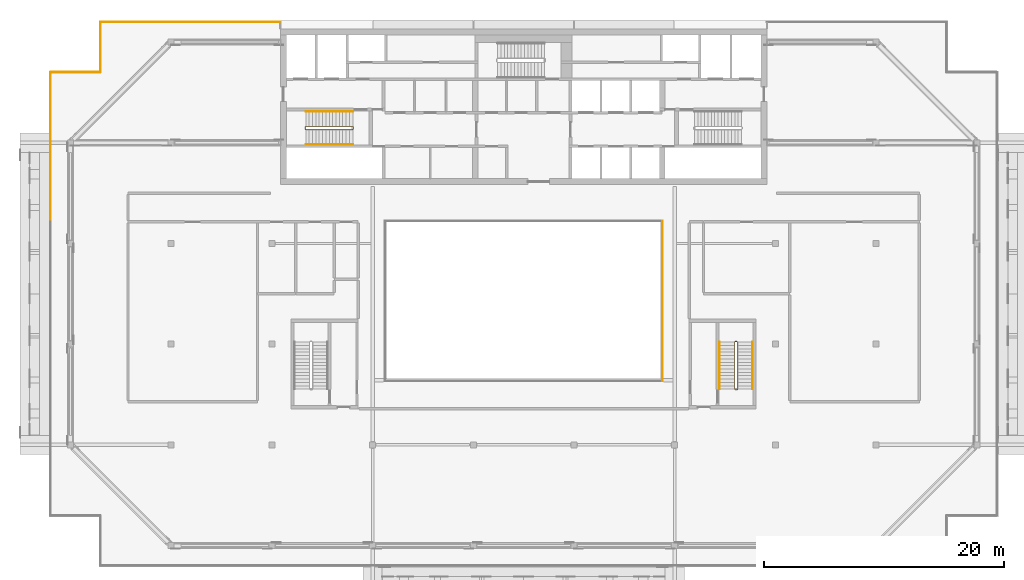
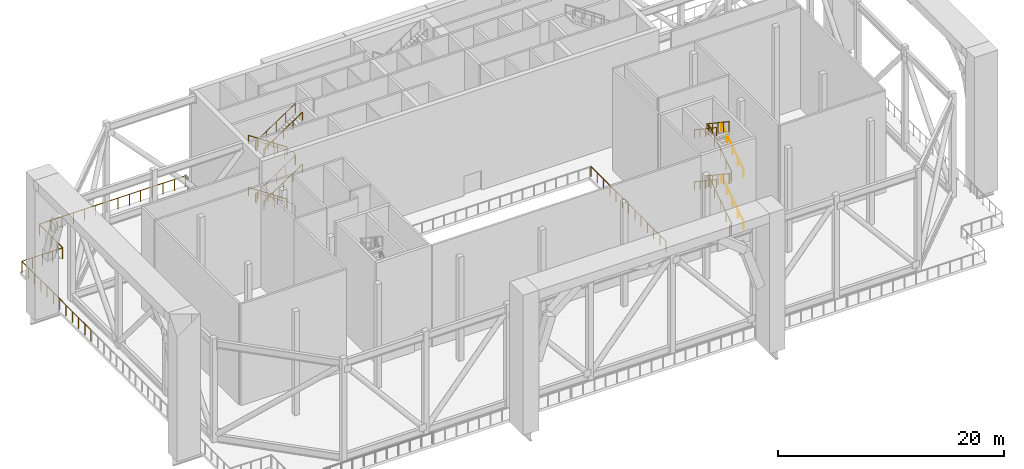
# One storey, part 18 of 20: 15 railings.
"""IFC4 building model written with IfcOpenShell, lengths in metres."""

from ifc_helpers import new_model, si_unit, direction, frame, origin, origin_2d, place, context, subcontext, project, spatial, circle, extrude, material, type_object, element, save


model = new_model("IFC4")

# Units and contexts
model_context = context("Model", 3, precision=1e-05, world=origin(), true_north=direction((0.0, 1.0)))
body_context = subcontext(model_context, "Body", "Model", "MODEL_VIEW")
ifc_project = project(units=[si_unit("LENGTHUNIT", "METRE"), si_unit("AREAUNIT", "SQUARE_METRE"), si_unit("VOLUMEUNIT", "CUBIC_METRE"), si_unit("PLANEANGLEUNIT", "RADIAN"), si_unit("MASSUNIT", "GRAM", prefix="KILO")], contexts=[model_context])

# Site, building, storey
site_placement = place(None, origin())
site = spatial("IfcSite", under=ifc_project, at=site_placement, CompositionType="ELEMENT")
building_placement = place(site_placement, origin())
building = spatial("IfcBuilding", under=site, at=building_placement, Name="Saffron Gate Tower", CompositionType="ELEMENT")
storey_placement = place(building_placement, frame((0.0, 0.0, 252.300048828125)))
storey = spatial("IfcBuildingStorey", under=building, at=storey_placement, Name="L62", CompositionType="ELEMENT", Elevation=252.300048828125)

# Railings
ifc_material_1 = material(Name="Stainless steel and laminated glass", Category="steel")
railing_type_1 = type_object("IfcRailingType", Name="AG1 Atrium edge guard 1100", PredefinedType="GUARDRAIL", material=ifc_material_1)
railing_1_placement = place(storey_placement, frame((99.179931640625, 58.860107421875, 0.0)))
element("IfcRailing", 1, at=railing_1_placement, inside=storey, type_object=railing_type_1, Name="Guard X3-3", PredefinedType="GUARDRAIL", context=body_context, shape_type="SweptSolid", body=[
    extrude(circle(Radius=0.02392578125, at=origin_2d()), frame((0.0, 0.0, 1.076171875), z_axis=(0.0, -1.0, 0.0), x_axis=(1.0, 0.0, 0.0)), (0.0, 0.0, 1.0), 13.320068359375),
    extrude(circle(Radius=0.02099609375, at=origin_2d()), origin(), (0.0, 0.0, 1.0), 1.052001953125),
    extrude(circle(Radius=0.02099609375, at=origin_2d()), frame((0.0, -1.110107421875, 0.0)), (0.0, 0.0, 1.0), 1.052001953125),
    extrude(circle(Radius=0.02099609375, at=origin_2d()), frame((0.0, -2.219970703125, 0.0)), (0.0, 0.0, 1.0), 1.052001953125),
    extrude(circle(Radius=0.02099609375, at=origin_2d()), frame((0.0, -3.330078125, 0.0)), (0.0, 0.0, 1.0), 1.052001953125),
    extrude(circle(Radius=0.02099609375, at=origin_2d()), frame((0.0, -4.43994140625, 0.0)), (0.0, 0.0, 1.0), 1.052001953125),
    extrude(circle(Radius=0.02099609375, at=origin_2d()), frame((0.0, -5.550048828125, 0.0)), (0.0, 0.0, 1.0), 1.052001953125),
    extrude(circle(Radius=0.02099609375, at=origin_2d()), frame((0.0, -6.66015625, 0.0)), (0.0, 0.0, 1.0), 1.052001953125),
    extrude(circle(Radius=0.02099609375, at=origin_2d()), frame((0.0, -7.77001953125, 0.0)), (0.0, 0.0, 1.0), 1.052001953125),
    extrude(circle(Radius=0.02099609375, at=origin_2d()), frame((0.0, -8.880126953125, 0.0)), (0.0, 0.0, 1.0), 1.052001953125),
    extrude(circle(Radius=0.02099609375, at=origin_2d()), frame((0.0, -9.989990234375, 0.0)), (0.0, 0.0, 1.0), 1.052001953125),
    extrude(circle(Radius=0.02099609375, at=origin_2d()), frame((0.0, -11.10009765625, 0.0)), (0.0, 0.0, 1.0), 1.052001953125),
    extrude(circle(Radius=0.02099609375, at=origin_2d()), frame((0.0, -12.2099609375, 0.0)), (0.0, 0.0, 1.0), 1.052001953125),
    extrude(circle(Radius=0.02099609375, at=origin_2d()), frame((0.0, -13.320068359375, 0.0)), (0.0, 0.0, 1.0), 1.052001953125),
])
ifc_material_2 = material(Name="Stainless steel posts and toughened glass infill", Category="steel")
railing_type_2 = type_object("IfcRailingType", Name="BAL1 balustrade 1200", PredefinedType="BALUSTRADE", material=ifc_material_2)
railing_2_placement = place(storey_placement, frame((67.300048828125, 75.47998046875, 0.0)))
element("IfcRailing", 2, at=railing_2_placement, inside=storey, type_object=railing_type_2, Name="GUARD portal deck edge", PredefinedType="BALUSTRADE", context=body_context, shape_type="SweptSolid", body=[
    extrude(circle(Radius=0.02392578125, at=origin_2d()), frame((0.0, 0.0, 1.17578125), z_axis=(-1.0, 0.0, 0.0), x_axis=(0.0, -1.0, 0.0)), (0.0, 0.0, 1.0), 14.93994140625),
    extrude(circle(Radius=0.02099609375, at=origin_2d()), origin(), (0.0, 0.0, 1.0), 1.15185546875),
    extrude(circle(Radius=0.02099609375, at=origin_2d()), frame((-1.149169921875, 0.0, 0.0)), (0.0, 0.0, 1.0), 1.15185546875),
    extrude(circle(Radius=0.02099609375, at=origin_2d()), frame((-2.29833984375, 0.0, 0.0)), (0.0, 0.0, 1.0), 1.15185546875),
    extrude(circle(Radius=0.02099609375, at=origin_2d()), frame((-3.44775390625, 0.0, 0.0)), (0.0, 0.0, 1.0), 1.15185546875),
    extrude(circle(Radius=0.02099609375, at=origin_2d()), frame((-4.596923828125, 0.0, 0.0)), (0.0, 0.0, 1.0), 1.15185546875),
    extrude(circle(Radius=0.02099609375, at=origin_2d()), frame((-5.74609375, 0.0, 0.0)), (0.0, 0.0, 1.0), 1.15185546875),
    extrude(circle(Radius=0.02099609375, at=origin_2d()), frame((-6.895263671875, 0.0, 0.0)), (0.0, 0.0, 1.0), 1.15185546875),
    extrude(circle(Radius=0.02099609375, at=origin_2d()), frame((-8.044677734375, 0.0, 0.0)), (0.0, 0.0, 1.0), 1.15185546875),
    extrude(circle(Radius=0.02099609375, at=origin_2d()), frame((-9.19384765625, 0.0, 0.0)), (0.0, 0.0, 1.0), 1.15185546875),
    extrude(circle(Radius=0.02099609375, at=origin_2d()), frame((-10.343017578125, 0.0, 0.0)), (0.0, 0.0, 1.0), 1.15185546875),
    extrude(circle(Radius=0.02099609375, at=origin_2d()), frame((-11.4921875, 0.0, 0.0)), (0.0, 0.0, 1.0), 1.15185546875),
    extrude(circle(Radius=0.02099609375, at=origin_2d()), frame((-12.6416015625, 0.0, 0.0)), (0.0, 0.0, 1.0), 1.15185546875),
    extrude(circle(Radius=0.02099609375, at=origin_2d()), frame((-13.790771484375, 0.0, 0.0)), (0.0, 0.0, 1.0), 1.15185546875),
    extrude(circle(Radius=0.02099609375, at=origin_2d()), frame((-14.93994140625, 0.0, 0.0)), (0.0, 0.0, 1.0), 1.15185546875),
])
railing_3_placement = place(storey_placement, frame((52.320068359375, 75.43994140625, 0.0)))
element("IfcRailing", 3, at=railing_3_placement, inside=storey, type_object=railing_type_2, Name="GUARD portal deck edge", PredefinedType="BALUSTRADE", context=body_context, shape_type="SweptSolid", body=[
    extrude(circle(Radius=0.02392578125, at=origin_2d()), frame((0.0, 0.0, 1.17578125), z_axis=(0.0, -1.0, 0.0), x_axis=(1.0, 0.0, 0.0)), (0.0, 0.0, 1.0), 4.119873046875),
    extrude(circle(Radius=0.02099609375, at=origin_2d()), origin(), (0.0, 0.0, 1.0), 1.15185546875),
    extrude(circle(Radius=0.02099609375, at=origin_2d()), frame((0.0, -1.030029296875, 0.0)), (0.0, 0.0, 1.0), 1.15185546875),
    extrude(circle(Radius=0.02099609375, at=origin_2d()), frame((0.0, -2.06005859375, 0.0)), (0.0, 0.0, 1.0), 1.15185546875),
    extrude(circle(Radius=0.02099609375, at=origin_2d()), frame((0.0, -3.08984375, 0.0)), (0.0, 0.0, 1.0), 1.15185546875),
    extrude(circle(Radius=0.02099609375, at=origin_2d()), frame((0.0, -4.119873046875, 0.0)), (0.0, 0.0, 1.0), 1.15185546875),
])
railing_4_placement = place(storey_placement, frame((52.280029296875, 71.280029296875, 0.0)))
element("IfcRailing", 4, at=railing_4_placement, inside=storey, type_object=railing_type_2, Name="GUARD portal deck edge", PredefinedType="BALUSTRADE", context=body_context, shape_type="SweptSolid", body=[
    extrude(circle(Radius=0.02392578125, at=origin_2d()), frame((0.0, 0.0, 1.17578125), z_axis=(-1.0, 0.0, 0.0), x_axis=(0.0, -1.0, 0.0)), (0.0, 0.0, 1.0), 4.1201171875),
    extrude(circle(Radius=0.02099609375, at=origin_2d()), origin(), (0.0, 0.0, 1.0), 1.15185546875),
    extrude(circle(Radius=0.02099609375, at=origin_2d()), frame((-1.030029296875, 0.0, 0.0)), (0.0, 0.0, 1.0), 1.15185546875),
    extrude(circle(Radius=0.02099609375, at=origin_2d()), frame((-2.06005859375, 0.0, 0.0)), (0.0, 0.0, 1.0), 1.15185546875),
    extrude(circle(Radius=0.02099609375, at=origin_2d()), frame((-3.090087890625, 0.0, 0.0)), (0.0, 0.0, 1.0), 1.15185546875),
    extrude(circle(Radius=0.02099609375, at=origin_2d()), frame((-4.1201171875, 0.0, 0.0)), (0.0, 0.0, 1.0), 1.15185546875),
])
railing_5_placement = place(storey_placement, frame((48.1201171875, 71.239990234375, 0.0)))
element("IfcRailing", 5, at=railing_5_placement, inside=storey, type_object=railing_type_2, Name="GUARD portal deck edge", PredefinedType="BALUSTRADE", context=body_context, shape_type="SweptSolid", body=[
    extrude(circle(Radius=0.02392578125, at=origin_2d()), frame((0.0, 0.0, 1.17578125), z_axis=(0.0, -1.0, 0.0), x_axis=(1.0, 0.0, 0.0)), (0.0, 0.0, 1.0), 12.239990234375),
    extrude(circle(Radius=0.02099609375, at=origin_2d()), origin(), (0.0, 0.0, 1.0), 1.15185546875),
    extrude(circle(Radius=0.02099609375, at=origin_2d()), frame((0.0, -1.11279296875, 0.0)), (0.0, 0.0, 1.0), 1.15185546875),
    extrude(circle(Radius=0.02099609375, at=origin_2d()), frame((0.0, -2.225341796875, 0.0)), (0.0, 0.0, 1.0), 1.15185546875),
    extrude(circle(Radius=0.02099609375, at=origin_2d()), frame((0.0, -3.338134765625, 0.0)), (0.0, 0.0, 1.0), 1.15185546875),
    extrude(circle(Radius=0.02099609375, at=origin_2d()), frame((0.0, -4.450927734375, 0.0)), (0.0, 0.0, 1.0), 1.15185546875),
    extrude(circle(Radius=0.02099609375, at=origin_2d()), frame((0.0, -5.563720703125, 0.0)), (0.0, 0.0, 1.0), 1.15185546875),
    extrude(circle(Radius=0.02099609375, at=origin_2d()), frame((0.0, -6.67626953125, 0.0)), (0.0, 0.0, 1.0), 1.15185546875),
    extrude(circle(Radius=0.02099609375, at=origin_2d()), frame((0.0, -7.7890625, 0.0)), (0.0, 0.0, 1.0), 1.15185546875),
    extrude(circle(Radius=0.02099609375, at=origin_2d()), frame((0.0, -8.90185546875, 0.0)), (0.0, 0.0, 1.0), 1.15185546875),
    extrude(circle(Radius=0.02099609375, at=origin_2d()), frame((0.0, -10.0146484375, 0.0)), (0.0, 0.0, 1.0), 1.15185546875),
    extrude(circle(Radius=0.02099609375, at=origin_2d()), frame((0.0, -11.127197265625, 0.0)), (0.0, 0.0, 1.0), 1.15185546875),
    extrude(circle(Radius=0.02099609375, at=origin_2d()), frame((0.0, -12.239990234375, 0.0)), (0.0, 0.0, 1.0), 1.15185546875),
])
railing_type_3 = type_object("IfcRailingType", Name="CR1 Stair guard 1100", PredefinedType="GUARDRAIL", material=ifc_material_1)
railing_6_placement = place(storey_placement, frame((73.39990234375, 66.550048828125, 0.0)))
element("IfcRailing", 6, at=railing_6_placement, inside=storey, type_object=railing_type_3, Name="L62 ST-A stair guard 1", PredefinedType="GUARDRAIL", context=body_context, shape_type="SweptSolid", body=[
    extrude(circle(Radius=0.02392578125, at=origin_2d()), frame((0.0, 0.0, 1.076171875), z_axis=(0.0, 1.0, 0.0), x_axis=(-1.0, 0.0, 0.0)), (0.0, 0.0, 1.0), 0.14990234375),
    extrude(circle(Radius=0.02392578125, at=origin_2d()), frame((0.0, 0.14990234375, 1.076171875), z_axis=(-0.248583702486, 0.249802250048, 0.935844527007), x_axis=(-0.708833529934, -0.705375805398, 0.0)), (0.0, 0.0, 1.0), 0.200439453125),
    extrude(circle(Radius=0.02392578125, at=origin_2d()), frame((-0.0498046875, 0.199951171875, 1.263671875), z_axis=(-0.830918070988, 0.0, 0.556394787274), x_axis=(0.0, -1.0, 0.0)), (0.0, 0.0, 1.0), 4.7177734375),
    extrude(circle(Radius=0.02392578125, at=origin_2d()), frame((-3.969970703125, 0.199951171875, 3.888671875), z_axis=(-0.707106781187, -0.707106781187, 0.0), x_axis=(0.707106781187, -0.707106781187, 0.0)), (0.0, 0.0, 1.0), 0.07080078125),
    extrude(circle(Radius=0.02392578125, at=origin_2d()), frame((-4.02001953125, 0.14990234375, 3.888671875), z_axis=(0.0, -1.0, 0.0), x_axis=(1.0, 0.0, 0.0)), (0.0, 0.0, 1.0), 0.14990234375),
    extrude(circle(Radius=0.02392578125, at=origin_2d()), frame((-4.02001953125, 0.0, 3.888671875), z_axis=(0.249726431254, -0.249726431254, 0.935560483917), x_axis=(0.707106781187, 0.707106781187, 0.0)), (0.0, 0.0, 1.0), 0.200439453125),
    extrude(circle(Radius=0.02392578125, at=origin_2d()), frame((-3.969970703125, -0.050048828125, 4.076171875), z_axis=(0.830918070988, 0.0, 0.556394787274), x_axis=(0.0, 1.0, 0.0)), (0.0, 0.0, 1.0), 4.7177734375),
    extrude(circle(Radius=0.02392578125, at=origin_2d()), frame((-0.0498046875, -0.050048828125, 6.701171875), z_axis=(0.705375805398, 0.708833529934, 0.0), x_axis=(-0.708833529934, 0.705375805398, 0.0)), (0.0, 0.0, 1.0), 0.070556640625),
    extrude(circle(Radius=0.02392578125, at=origin_2d()), frame((0.0, 0.0, 6.701171875), z_axis=(0.0, 1.0, 0.0), x_axis=(-1.0, 0.0, 0.0)), (0.0, 0.0, 1.0), 0.14990234375),
    extrude(circle(Radius=0.02392578125, at=origin_2d()), frame((0.0, 0.14990234375, 6.701171875), z_axis=(-0.248583702486, 0.249802250048, 0.935844527007), x_axis=(-0.708833529934, -0.705375805398, 0.0)), (0.0, 0.0, 1.0), 0.200439453125),
    extrude(circle(Radius=0.02392578125, at=origin_2d()), frame((-0.0498046875, 0.199951171875, 6.888671875), z_axis=(-0.830918070988, 0.0, 0.556394787274), x_axis=(0.0, -1.0, 0.0)), (0.0, 0.0, 1.0), 4.7177734375),
    extrude(circle(Radius=0.02392578125, at=origin_2d()), frame((-3.969970703125, 0.199951171875, 9.513671875), z_axis=(-0.707106781187, -0.707106781187, 0.0), x_axis=(0.707106781187, -0.707106781187, 0.0)), (0.0, 0.0, 1.0), 0.07080078125),
    extrude(circle(Radius=0.02392578125, at=origin_2d()), frame((-4.02001953125, 0.14990234375, 9.513671875), z_axis=(0.0, -1.0, 0.0), x_axis=(1.0, 0.0, 0.0)), (0.0, 0.0, 1.0), 0.14990234375),
    extrude(circle(Radius=0.02392578125, at=origin_2d()), frame((-4.02001953125, 0.0, 9.513671875), z_axis=(0.249726431254, -0.249726431254, 0.935560483917), x_axis=(0.707106781187, 0.707106781187, 0.0)), (0.0, 0.0, 1.0), 0.200439453125),
    extrude(circle(Radius=0.02392578125, at=origin_2d()), frame((-3.969970703125, -0.050048828125, 9.701171875), z_axis=(0.830918070988, 0.0, 0.556394787274), x_axis=(0.0, 1.0, 0.0)), (0.0, 0.0, 1.0), 4.7177734375),
    extrude(circle(Radius=0.02099609375, at=origin_2d()), origin(), (0.0, 0.0, 1.0), 1.052001953125),
    extrude(circle(Radius=0.02099609375, at=origin_2d()), frame((0.0, 0.14990234375, 0.0)), (0.0, 0.0, 1.0), 1.052001953125),
    extrude(circle(Radius=0.02099609375, at=origin_2d()), frame((-0.0498046875, 0.199951171875, 0.1875)), (0.0, 0.0, 1.0), 1.052001953125),
    extrude(circle(Radius=0.02099609375, at=origin_2d()), frame((-1.02978515625, 0.199951171875, 0.84375)), (0.0, 0.0, 1.0), 1.052001953125),
    extrude(circle(Radius=0.02099609375, at=origin_2d()), frame((-2.009765625, 0.199951171875, 1.5)), (0.0, 0.0, 1.0), 1.052001953125),
    extrude(circle(Radius=0.02099609375, at=origin_2d()), frame((-2.989990234375, 0.199951171875, 2.15625)), (0.0, 0.0, 1.0), 1.052001953125),
    extrude(circle(Radius=0.02099609375, at=origin_2d()), frame((-3.969970703125, 0.199951171875, 2.8125)), (0.0, 0.0, 1.0), 1.052001953125),
    extrude(circle(Radius=0.02099609375, at=origin_2d()), frame((-4.02001953125, 0.14990234375, 2.8125)), (0.0, 0.0, 1.0), 1.052001953125),
    extrude(circle(Radius=0.02099609375, at=origin_2d()), frame((-4.02001953125, 0.0, 2.8125)), (0.0, 0.0, 1.0), 1.052001953125),
    extrude(circle(Radius=0.02099609375, at=origin_2d()), frame((-3.969970703125, -0.050048828125, 3.0)), (0.0, 0.0, 1.0), 1.052001953125),
    extrude(circle(Radius=0.02099609375, at=origin_2d()), frame((-2.989990234375, -0.050048828125, 3.65625)), (0.0, 0.0, 1.0), 1.052001953125),
    extrude(circle(Radius=0.02099609375, at=origin_2d()), frame((-2.009765625, -0.050048828125, 4.3125)), (0.0, 0.0, 1.0), 1.052001953125),
    extrude(circle(Radius=0.02099609375, at=origin_2d()), frame((-1.02978515625, -0.050048828125, 4.96875)), (0.0, 0.0, 1.0), 1.052001953125),
    extrude(circle(Radius=0.02099609375, at=origin_2d()), frame((-0.0498046875, -0.050048828125, 5.625)), (0.0, 0.0, 1.0), 1.052001953125),
    extrude(circle(Radius=0.02099609375, at=origin_2d()), frame((0.0, 0.0, 5.625)), (0.0, 0.0, 1.0), 1.052001953125),
    extrude(circle(Radius=0.02099609375, at=origin_2d()), frame((0.0, 0.14990234375, 5.625)), (0.0, 0.0, 1.0), 1.052001953125),
    extrude(circle(Radius=0.02099609375, at=origin_2d()), frame((-0.0498046875, 0.199951171875, 5.8125)), (0.0, 0.0, 1.0), 1.052001953125),
    extrude(circle(Radius=0.02099609375, at=origin_2d()), frame((-1.02978515625, 0.199951171875, 6.46875)), (0.0, 0.0, 1.0), 1.052001953125),
    extrude(circle(Radius=0.02099609375, at=origin_2d()), frame((-2.009765625, 0.199951171875, 7.125)), (0.0, 0.0, 1.0), 1.052001953125),
    extrude(circle(Radius=0.02099609375, at=origin_2d()), frame((-2.989990234375, 0.199951171875, 7.78125)), (0.0, 0.0, 1.0), 1.052001953125),
    extrude(circle(Radius=0.02099609375, at=origin_2d()), frame((-3.969970703125, 0.199951171875, 8.4375)), (0.0, 0.0, 1.0), 1.052001953125),
    extrude(circle(Radius=0.02099609375, at=origin_2d()), frame((-4.02001953125, 0.14990234375, 8.4375)), (0.0, 0.0, 1.0), 1.052001953125),
    extrude(circle(Radius=0.02099609375, at=origin_2d()), frame((-4.02001953125, 0.0, 8.4375)), (0.0, 0.0, 1.0), 1.052001953125),
    extrude(circle(Radius=0.02099609375, at=origin_2d()), frame((-3.969970703125, -0.050048828125, 8.625)), (0.0, 0.0, 1.0), 1.052001953125),
    extrude(circle(Radius=0.02099609375, at=origin_2d()), frame((-2.989990234375, -0.050048828125, 9.28125)), (0.0, 0.0, 1.0), 1.052001953125),
    extrude(circle(Radius=0.02099609375, at=origin_2d()), frame((-2.009765625, -0.050048828125, 9.9375)), (0.0, 0.0, 1.0), 1.052001953125),
    extrude(circle(Radius=0.02099609375, at=origin_2d()), frame((-1.02978515625, -0.050048828125, 10.59375)), (0.0, 0.0, 1.0), 1.052001953125),
    extrude(circle(Radius=0.02099609375, at=origin_2d()), frame((-0.0498046875, -0.050048828125, 11.25)), (0.0, 0.0, 1.0), 1.052001953125),
])
railing_7_placement = place(storey_placement, frame((105.25, 44.800048828125, 0.0)))
element("IfcRailing", 7, at=railing_7_placement, inside=storey, type_object=railing_type_3, Name="L62 ST-E stair guard 1", PredefinedType="GUARDRAIL", context=body_context, shape_type="SweptSolid", body=[
    extrude(circle(Radius=0.02392578125, at=origin_2d()), frame((0.0, 0.0, 1.076171875), z_axis=(1.0, 0.0, 0.0), x_axis=(0.0, 1.0, 0.0)), (0.0, 0.0, 1.0), 0.14990234375),
    extrude(circle(Radius=0.02392578125, at=origin_2d()), frame((0.14990234375, 0.0, 1.076171875), z_axis=(0.249726431254, 0.249726431254, 0.935560483917), x_axis=(-0.707106781187, 0.707106781187, 0.0)), (0.0, 0.0, 1.0), 0.200439453125),
    extrude(circle(Radius=0.02392578125, at=origin_2d()), frame((0.199951171875, 0.050048828125, 1.263671875), z_axis=(0.0, 0.830902050051, 0.556418712142), x_axis=(-1.0, 0.0, 0.0)), (0.0, 0.0, 1.0), 4.7177734375),
    extrude(circle(Radius=0.02392578125, at=origin_2d()), frame((0.199951171875, 3.969970703125, 3.888671875), z_axis=(-0.707106781187, 0.707106781187, 0.0), x_axis=(-0.707106781187, -0.707106781187, 0.0)), (0.0, 0.0, 1.0), 0.07080078125),
    extrude(circle(Radius=0.02392578125, at=origin_2d()), frame((0.14990234375, 4.02001953125, 3.888671875), z_axis=(-1.0, 0.0, 0.0), x_axis=(0.0, -1.0, 0.0)), (0.0, 0.0, 1.0), 0.14990234375),
    extrude(circle(Radius=0.02392578125, at=origin_2d()), frame((0.0, 4.02001953125, 3.888671875), z_axis=(-0.249726431254, -0.249726431254, 0.935560483917), x_axis=(0.707106781187, -0.707106781187, 0.0)), (0.0, 0.0, 1.0), 0.200439453125),
    extrude(circle(Radius=0.02392578125, at=origin_2d()), frame((-0.050048828125, 3.969970703125, 4.076171875), z_axis=(0.0, -0.830902050051, 0.556418712142), x_axis=(1.0, 0.0, 0.0)), (0.0, 0.0, 1.0), 4.7177734375),
    extrude(circle(Radius=0.02392578125, at=origin_2d()), frame((-0.050048828125, 0.050048828125, 6.701171875), z_axis=(0.707106781187, -0.707106781187, 0.0), x_axis=(0.707106781187, 0.707106781187, 0.0)), (0.0, 0.0, 1.0), 0.07080078125),
    extrude(circle(Radius=0.02392578125, at=origin_2d()), frame((0.0, 0.0, 6.701171875), z_axis=(1.0, 0.0, 0.0), x_axis=(0.0, 1.0, 0.0)), (0.0, 0.0, 1.0), 0.14990234375),
    extrude(circle(Radius=0.02392578125, at=origin_2d()), frame((0.14990234375, 0.0, 6.701171875), z_axis=(0.249726431254, 0.249726431254, 0.935560483917), x_axis=(-0.707106781187, 0.707106781187, 0.0)), (0.0, 0.0, 1.0), 0.200439453125),
    extrude(circle(Radius=0.02392578125, at=origin_2d()), frame((0.199951171875, 0.050048828125, 6.888671875), z_axis=(0.0, 0.830902050051, 0.556418712142), x_axis=(-1.0, 0.0, 0.0)), (0.0, 0.0, 1.0), 4.7177734375),
    extrude(circle(Radius=0.02392578125, at=origin_2d()), frame((0.199951171875, 3.969970703125, 9.513671875), z_axis=(-0.707106781187, 0.707106781187, 0.0), x_axis=(-0.707106781187, -0.707106781187, 0.0)), (0.0, 0.0, 1.0), 0.07080078125),
    extrude(circle(Radius=0.02392578125, at=origin_2d()), frame((0.14990234375, 4.02001953125, 9.513671875), z_axis=(-1.0, 0.0, 0.0), x_axis=(0.0, -1.0, 0.0)), (0.0, 0.0, 1.0), 0.14990234375),
    extrude(circle(Radius=0.02392578125, at=origin_2d()), frame((0.0, 4.02001953125, 9.513671875), z_axis=(-0.249726431254, -0.249726431254, 0.935560483917), x_axis=(0.707106781187, -0.707106781187, 0.0)), (0.0, 0.0, 1.0), 0.200439453125),
    extrude(circle(Radius=0.02392578125, at=origin_2d()), frame((-0.050048828125, 3.969970703125, 9.701171875), z_axis=(0.0, -0.830902050051, 0.556418712142), x_axis=(1.0, 0.0, 0.0)), (0.0, 0.0, 1.0), 4.7177734375),
    extrude(circle(Radius=0.02099609375, at=origin_2d()), origin(), (0.0, 0.0, 1.0), 1.052001953125),
    extrude(circle(Radius=0.02099609375, at=origin_2d()), frame((0.14990234375, 0.0, 0.0)), (0.0, 0.0, 1.0), 1.052001953125),
    extrude(circle(Radius=0.02099609375, at=origin_2d()), frame((0.199951171875, 0.050048828125, 0.1875)), (0.0, 0.0, 1.0), 1.052001953125),
    extrude(circle(Radius=0.02099609375, at=origin_2d()), frame((0.199951171875, 1.030029296875, 0.84375)), (0.0, 0.0, 1.0), 1.052001953125),
    extrude(circle(Radius=0.02099609375, at=origin_2d()), frame((0.199951171875, 2.010009765625, 1.5)), (0.0, 0.0, 1.0), 1.052001953125),
    extrude(circle(Radius=0.02099609375, at=origin_2d()), frame((0.199951171875, 2.989990234375, 2.15625)), (0.0, 0.0, 1.0), 1.052001953125),
    extrude(circle(Radius=0.02099609375, at=origin_2d()), frame((0.199951171875, 3.969970703125, 2.8125)), (0.0, 0.0, 1.0), 1.052001953125),
    extrude(circle(Radius=0.02099609375, at=origin_2d()), frame((0.14990234375, 4.02001953125, 2.8125)), (0.0, 0.0, 1.0), 1.052001953125),
    extrude(circle(Radius=0.02099609375, at=origin_2d()), frame((0.0, 4.02001953125, 2.8125)), (0.0, 0.0, 1.0), 1.052001953125),
    extrude(circle(Radius=0.02099609375, at=origin_2d()), frame((-0.050048828125, 3.969970703125, 3.0)), (0.0, 0.0, 1.0), 1.052001953125),
    extrude(circle(Radius=0.02099609375, at=origin_2d()), frame((-0.050048828125, 2.989990234375, 3.65625)), (0.0, 0.0, 1.0), 1.052001953125),
    extrude(circle(Radius=0.02099609375, at=origin_2d()), frame((-0.050048828125, 2.010009765625, 4.3125)), (0.0, 0.0, 1.0), 1.052001953125),
    extrude(circle(Radius=0.02099609375, at=origin_2d()), frame((-0.050048828125, 1.030029296875, 4.96875)), (0.0, 0.0, 1.0), 1.052001953125),
    extrude(circle(Radius=0.02099609375, at=origin_2d()), frame((-0.050048828125, 0.050048828125, 5.625)), (0.0, 0.0, 1.0), 1.052001953125),
    extrude(circle(Radius=0.02099609375, at=origin_2d()), frame((0.0, 0.0, 5.625)), (0.0, 0.0, 1.0), 1.052001953125),
    extrude(circle(Radius=0.02099609375, at=origin_2d()), frame((0.14990234375, 0.0, 5.625)), (0.0, 0.0, 1.0), 1.052001953125),
    extrude(circle(Radius=0.02099609375, at=origin_2d()), frame((0.199951171875, 0.050048828125, 5.8125)), (0.0, 0.0, 1.0), 1.052001953125),
    extrude(circle(Radius=0.02099609375, at=origin_2d()), frame((0.199951171875, 1.030029296875, 6.46875)), (0.0, 0.0, 1.0), 1.052001953125),
    extrude(circle(Radius=0.02099609375, at=origin_2d()), frame((0.199951171875, 2.010009765625, 7.125)), (0.0, 0.0, 1.0), 1.052001953125),
    extrude(circle(Radius=0.02099609375, at=origin_2d()), frame((0.199951171875, 2.989990234375, 7.78125)), (0.0, 0.0, 1.0), 1.052001953125),
    extrude(circle(Radius=0.02099609375, at=origin_2d()), frame((0.199951171875, 3.969970703125, 8.4375)), (0.0, 0.0, 1.0), 1.052001953125),
    extrude(circle(Radius=0.02099609375, at=origin_2d()), frame((0.14990234375, 4.02001953125, 8.4375)), (0.0, 0.0, 1.0), 1.052001953125),
    extrude(circle(Radius=0.02099609375, at=origin_2d()), frame((0.0, 4.02001953125, 8.4375)), (0.0, 0.0, 1.0), 1.052001953125),
    extrude(circle(Radius=0.02099609375, at=origin_2d()), frame((-0.050048828125, 3.969970703125, 8.625)), (0.0, 0.0, 1.0), 1.052001953125),
    extrude(circle(Radius=0.02099609375, at=origin_2d()), frame((-0.050048828125, 2.989990234375, 9.28125)), (0.0, 0.0, 1.0), 1.052001953125),
    extrude(circle(Radius=0.02099609375, at=origin_2d()), frame((-0.050048828125, 2.010009765625, 9.9375)), (0.0, 0.0, 1.0), 1.052001953125),
    extrude(circle(Radius=0.02099609375, at=origin_2d()), frame((-0.050048828125, 1.030029296875, 10.59375)), (0.0, 0.0, 1.0), 1.052001953125),
    extrude(circle(Radius=0.02099609375, at=origin_2d()), frame((-0.050048828125, 0.050048828125, 11.25)), (0.0, 0.0, 1.0), 1.052001953125),
])
ifc_material_3 = material(Name="Stainless steel", Category="steel")
railing_type_4 = type_object("IfcRailingType", Name="CR2 Stair handrail 900", PredefinedType="HANDRAIL", material=ifc_material_3)
railing_8_placement = place(storey_placement, frame((73.35009765625, 68.0, 0.1875)))
element("IfcRailing", 8, at=railing_8_placement, inside=storey, type_object=railing_type_4, Name="L62 ST-A stair handrail 1", PredefinedType="HANDRAIL", context=body_context, shape_type="SweptSolid", body=[
    extrude(circle(Radius=0.02392578125, at=origin_2d()), frame((0.0, 0.0, 0.8759765625), z_axis=(-0.830918070988, 0.0, 0.556394787274), x_axis=(0.0, -1.0, 0.0)), (0.0, 0.0, 1.0), 4.7177734375),
    extrude(circle(Radius=0.02099609375, at=origin_2d()), origin(), (0.0, 0.0, 1.0), 0.851806640625),
    extrude(circle(Radius=0.02099609375, at=origin_2d()), frame((-0.97998046875, 0.0, 0.65625)), (0.0, 0.0, 1.0), 0.851806640625),
    extrude(circle(Radius=0.02099609375, at=origin_2d()), frame((-1.9599609375, 0.0, 1.3125)), (0.0, 0.0, 1.0), 0.851806640625),
    extrude(circle(Radius=0.02099609375, at=origin_2d()), frame((-2.940185546875, 0.0, 1.96875)), (0.0, 0.0, 1.0), 0.851806640625),
    extrude(circle(Radius=0.02099609375, at=origin_2d()), frame((-3.920166015625, 0.0, 2.625)), (0.0, 0.0, 1.0), 0.851806640625),
])
railing_9_placement = place(storey_placement, frame((69.429931640625, 65.25, 3.0)))
element("IfcRailing", 9, at=railing_9_placement, inside=storey, type_object=railing_type_4, Name="L62 ST-A stair handrail 2", PredefinedType="HANDRAIL", context=body_context, shape_type="SweptSolid", body=[
    extrude(circle(Radius=0.02392578125, at=origin_2d()), frame((0.0, 0.0, 0.8759765625), z_axis=(0.830918070988, 0.0, 0.556394787274), x_axis=(0.0, 1.0, 0.0)), (0.0, 0.0, 1.0), 4.7177734375),
    extrude(circle(Radius=0.02099609375, at=origin_2d()), origin(), (0.0, 0.0, 1.0), 0.851806640625),
    extrude(circle(Radius=0.02099609375, at=origin_2d()), frame((0.97998046875, 0.0, 0.65625)), (0.0, 0.0, 1.0), 0.851806640625),
    extrude(circle(Radius=0.02099609375, at=origin_2d()), frame((1.9599609375, 0.0, 1.3125)), (0.0, 0.0, 1.0), 0.851806640625),
    extrude(circle(Radius=0.02099609375, at=origin_2d()), frame((2.940185546875, 0.0, 1.96875)), (0.0, 0.0, 1.0), 0.851806640625),
    extrude(circle(Radius=0.02099609375, at=origin_2d()), frame((3.920166015625, 0.0, 2.625)), (0.0, 0.0, 1.0), 0.851806640625),
])
railing_10_placement = place(storey_placement, frame((73.35009765625, 68.0, 5.8125)))
element("IfcRailing", 10, at=railing_10_placement, inside=storey, type_object=railing_type_4, Name="L62 ST-A stair handrail 3", PredefinedType="HANDRAIL", context=body_context, shape_type="SweptSolid", body=[
    extrude(circle(Radius=0.02392578125, at=origin_2d()), frame((0.0, 0.0, 0.8759765625), z_axis=(-0.830918070988, 0.0, 0.556394787274), x_axis=(0.0, -1.0, 0.0)), (0.0, 0.0, 1.0), 4.7177734375),
    extrude(circle(Radius=0.02099609375, at=origin_2d()), origin(), (0.0, 0.0, 1.0), 0.851806640625),
    extrude(circle(Radius=0.02099609375, at=origin_2d()), frame((-0.97998046875, 0.0, 0.65625)), (0.0, 0.0, 1.0), 0.851806640625),
    extrude(circle(Radius=0.02099609375, at=origin_2d()), frame((-1.9599609375, 0.0, 1.3125)), (0.0, 0.0, 1.0), 0.851806640625),
    extrude(circle(Radius=0.02099609375, at=origin_2d()), frame((-2.940185546875, 0.0, 1.96875)), (0.0, 0.0, 1.0), 0.851806640625),
    extrude(circle(Radius=0.02099609375, at=origin_2d()), frame((-3.920166015625, 0.0, 2.625)), (0.0, 0.0, 1.0), 0.851806640625),
])
railing_11_placement = place(storey_placement, frame((69.429931640625, 65.25, 8.625)))
element("IfcRailing", 11, at=railing_11_placement, inside=storey, type_object=railing_type_4, Name="L62 ST-A stair handrail 4", PredefinedType="HANDRAIL", context=body_context, shape_type="SweptSolid", body=[
    extrude(circle(Radius=0.02392578125, at=origin_2d()), frame((0.0, 0.0, 0.8759765625), z_axis=(0.830918070988, 0.0, 0.556394787274), x_axis=(0.0, 1.0, 0.0)), (0.0, 0.0, 1.0), 4.7177734375),
    extrude(circle(Radius=0.02099609375, at=origin_2d()), origin(), (0.0, 0.0, 1.0), 0.851806640625),
    extrude(circle(Radius=0.02099609375, at=origin_2d()), frame((0.97998046875, 0.0, 0.65625)), (0.0, 0.0, 1.0), 0.851806640625),
    extrude(circle(Radius=0.02099609375, at=origin_2d()), frame((1.9599609375, 0.0, 1.3125)), (0.0, 0.0, 1.0), 0.851806640625),
    extrude(circle(Radius=0.02099609375, at=origin_2d()), frame((2.940185546875, 0.0, 1.96875)), (0.0, 0.0, 1.0), 0.851806640625),
    extrude(circle(Radius=0.02099609375, at=origin_2d()), frame((3.920166015625, 0.0, 2.625)), (0.0, 0.0, 1.0), 0.851806640625),
])
railing_12_placement = place(storey_placement, frame((106.699951171875, 44.85009765625, 0.1875)))
element("IfcRailing", 12, at=railing_12_placement, inside=storey, type_object=railing_type_4, Name="L62 ST-E stair handrail 1", PredefinedType="HANDRAIL", context=body_context, shape_type="SweptSolid", body=[
    extrude(circle(Radius=0.02392578125, at=origin_2d()), frame((0.0, 0.0, 0.8759765625), z_axis=(0.0, 0.830902050051, 0.556418712142), x_axis=(-1.0, 0.0, 0.0)), (0.0, 0.0, 1.0), 4.7177734375),
    extrude(circle(Radius=0.02099609375, at=origin_2d()), origin(), (0.0, 0.0, 1.0), 0.851806640625),
    extrude(circle(Radius=0.02099609375, at=origin_2d()), frame((0.0, 0.97998046875, 0.65625)), (0.0, 0.0, 1.0), 0.851806640625),
    extrude(circle(Radius=0.02099609375, at=origin_2d()), frame((0.0, 1.9599609375, 1.3125)), (0.0, 0.0, 1.0), 0.851806640625),
    extrude(circle(Radius=0.02099609375, at=origin_2d()), frame((0.0, 2.93994140625, 1.96875)), (0.0, 0.0, 1.0), 0.851806640625),
    extrude(circle(Radius=0.02099609375, at=origin_2d()), frame((0.0, 3.919921875, 2.625)), (0.0, 0.0, 1.0), 0.851806640625),
])
railing_13_placement = place(storey_placement, frame((103.949951171875, 48.77001953125, 3.0)))
element("IfcRailing", 13, at=railing_13_placement, inside=storey, type_object=railing_type_4, Name="L62 ST-E stair handrail 2", PredefinedType="HANDRAIL", context=body_context, shape_type="SweptSolid", body=[
    extrude(circle(Radius=0.02392578125, at=origin_2d()), frame((0.0, 0.0, 0.8759765625), z_axis=(0.0, -0.830902050051, 0.556418712142), x_axis=(1.0, 0.0, 0.0)), (0.0, 0.0, 1.0), 4.7177734375),
    extrude(circle(Radius=0.02099609375, at=origin_2d()), origin(), (0.0, 0.0, 1.0), 0.851806640625),
    extrude(circle(Radius=0.02099609375, at=origin_2d()), frame((0.0, -0.97998046875, 0.65625)), (0.0, 0.0, 1.0), 0.851806640625),
    extrude(circle(Radius=0.02099609375, at=origin_2d()), frame((0.0, -1.9599609375, 1.3125)), (0.0, 0.0, 1.0), 0.851806640625),
    extrude(circle(Radius=0.02099609375, at=origin_2d()), frame((0.0, -2.93994140625, 1.96875)), (0.0, 0.0, 1.0), 0.851806640625),
    extrude(circle(Radius=0.02099609375, at=origin_2d()), frame((0.0, -3.919921875, 2.625)), (0.0, 0.0, 1.0), 0.851806640625),
])
railing_14_placement = place(storey_placement, frame((106.699951171875, 44.85009765625, 5.8125)))
element("IfcRailing", 14, at=railing_14_placement, inside=storey, type_object=railing_type_4, Name="L62 ST-E stair handrail 3", PredefinedType="HANDRAIL", context=body_context, shape_type="SweptSolid", body=[
    extrude(circle(Radius=0.02392578125, at=origin_2d()), frame((0.0, 0.0, 0.8759765625), z_axis=(0.0, 0.830902050051, 0.556418712142), x_axis=(-1.0, 0.0, 0.0)), (0.0, 0.0, 1.0), 4.7177734375),
    extrude(circle(Radius=0.02099609375, at=origin_2d()), origin(), (0.0, 0.0, 1.0), 0.851806640625),
    extrude(circle(Radius=0.02099609375, at=origin_2d()), frame((0.0, 0.97998046875, 0.65625)), (0.0, 0.0, 1.0), 0.851806640625),
    extrude(circle(Radius=0.02099609375, at=origin_2d()), frame((0.0, 1.9599609375, 1.3125)), (0.0, 0.0, 1.0), 0.851806640625),
    extrude(circle(Radius=0.02099609375, at=origin_2d()), frame((0.0, 2.93994140625, 1.96875)), (0.0, 0.0, 1.0), 0.851806640625),
    extrude(circle(Radius=0.02099609375, at=origin_2d()), frame((0.0, 3.919921875, 2.625)), (0.0, 0.0, 1.0), 0.851806640625),
])
railing_15_placement = place(storey_placement, frame((103.949951171875, 48.77001953125, 8.625)))
element("IfcRailing", 15, at=railing_15_placement, inside=storey, type_object=railing_type_4, Name="L62 ST-E stair handrail 4", PredefinedType="HANDRAIL", context=body_context, shape_type="SweptSolid", body=[
    extrude(circle(Radius=0.02392578125, at=origin_2d()), frame((0.0, 0.0, 0.8759765625), z_axis=(0.0, -0.830902050051, 0.556418712142), x_axis=(1.0, 0.0, 0.0)), (0.0, 0.0, 1.0), 4.7177734375),
    extrude(circle(Radius=0.02099609375, at=origin_2d()), origin(), (0.0, 0.0, 1.0), 0.851806640625),
    extrude(circle(Radius=0.02099609375, at=origin_2d()), frame((0.0, -0.97998046875, 0.65625)), (0.0, 0.0, 1.0), 0.851806640625),
    extrude(circle(Radius=0.02099609375, at=origin_2d()), frame((0.0, -1.9599609375, 1.3125)), (0.0, 0.0, 1.0), 0.851806640625),
    extrude(circle(Radius=0.02099609375, at=origin_2d()), frame((0.0, -2.93994140625, 1.96875)), (0.0, 0.0, 1.0), 0.851806640625),
    extrude(circle(Radius=0.02099609375, at=origin_2d()), frame((0.0, -3.919921875, 2.625)), (0.0, 0.0, 1.0), 0.851806640625),
])

save(model, "model.ifc")
